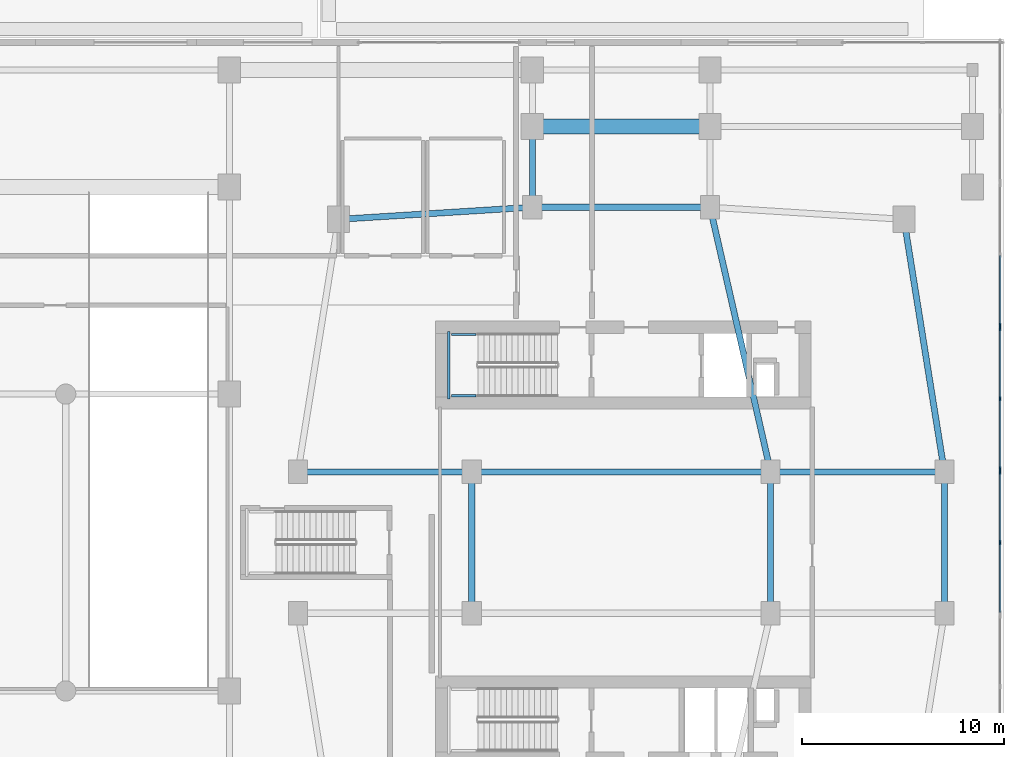
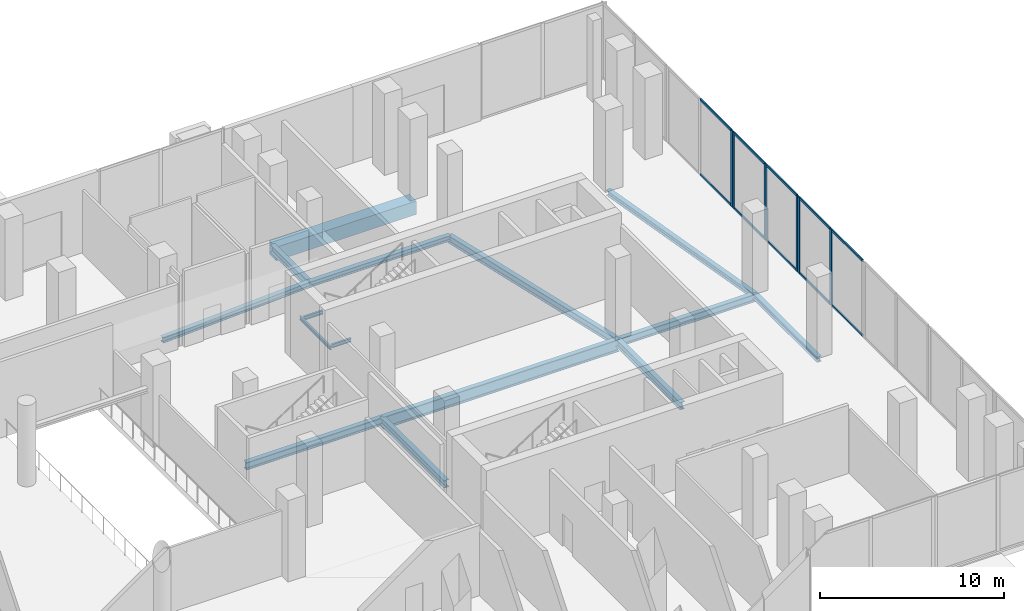
# One storey, part 9 of 24: 16 members, 15 beams, 3 elements without a shape of their own.
"""IFC4 building model written with IfcOpenShell, lengths in metres."""

from ifc_helpers import new_model, si_unit, derived_unit, direction, frame, origin, origin_2d, place, context, subcontext, project, spatial, rectangle, i_section, extrude, material, layer, layer_set, material_profile, profile_set, type_object, element, aggregate, save


model = new_model("IFC4")

# Units and contexts
model_context = context("Model", 3, precision=1e-05, world=origin(), true_north=direction((0.0, 1.0)))
body_context = subcontext(model_context, "Body", "Model", "MODEL_VIEW")
ifc_project = project(units=[si_unit("LENGTHUNIT", "METRE"), si_unit("AREAUNIT", "SQUARE_METRE"), si_unit("VOLUMEUNIT", "CUBIC_METRE"), si_unit("PLANEANGLEUNIT", "RADIAN"), si_unit("MASSUNIT", "GRAM", prefix="KILO"), derived_unit("THERMALTRANSMITTANCEUNIT", [(si_unit("POWERUNIT", "WATT"), 1), (si_unit("LENGTHUNIT", "METRE"), -2), (si_unit("THERMODYNAMICTEMPERATUREUNIT", "KELVIN"), -1)])], contexts=[model_context])

# Site, building, storey
site_placement = place(None, origin())
site = spatial("IfcSite", under=ifc_project, at=site_placement, CompositionType="ELEMENT")
building_placement = place(site_placement, origin())
building = spatial("IfcBuilding", under=site, at=building_placement, Name="Kivonza Crest Hotel", CompositionType="ELEMENT")
storey_placement = place(building_placement, origin())
storey = spatial("IfcBuildingStorey", under=building, at=storey_placement, Name="L00", CompositionType="ELEMENT", Elevation=0.0)

# Beams
ifc_material_1 = material(Name="Steel S355", Category="steel")
ifc_material_profile_1 = material_profile(ifc_material_1, i_section(OverallWidth=0.300048828125, OverallDepth=0.360107421875, WebThickness=0.012451171875, FlangeThickness=0.0224609375, FilletRadius=0.027099609375, at=origin_2d()), Name="HEB 360")
ifc_profile_set_1 = profile_set([ifc_material_profile_1], Name="Steel S355")
beam_type_1 = type_object("IfcBeamType", Name="BM-HEB360", PredefinedType="SPANDREL", material=ifc_profile_set_1)
beam_1_placement = place(storey_placement, frame((93.0, 21.5, -0.530029296875), z_axis=(0.0, 1.0, 0.0), x_axis=(-1.0, 0.0, 0.0)))
element("IfcBeam", 1, at=beam_1_placement, inside=storey, type_object=beam_type_1, Name="Companion Tower T2 L00 perimeter spandrel E1-E2", PredefinedType="SPANDREL", context=body_context, shape_type="SweptSolid", body=[
    extrude(i_section(OverallWidth=0.300048828125, OverallDepth=0.360107421875, WebThickness=0.012451171875, FlangeThickness=0.0224609375, FilletRadius=0.027099609375, at=origin_2d()), origin(), (0.0, 0.0, 1.0), 7.0),
])
beam_2_placement = place(storey_placement, frame((93.0, 28.5, -0.530029296875), z_axis=(-0.157990501107, 0.987440631917, 0.0), x_axis=(-0.987440631917, -0.157990501107, 0.0)))
element("IfcBeam", 2, at=beam_2_placement, inside=storey, type_object=beam_type_1, Name="Companion Tower T2 L00 perimeter spandrel E2-NE", PredefinedType="SPANDREL", context=body_context, shape_type="SweptSolid", body=[
    extrude(i_section(OverallWidth=0.300048828125, OverallDepth=0.360107421875, WebThickness=0.012451171875, FlangeThickness=0.0224609375, FilletRadius=0.027099609375, at=origin_2d()), origin(), (0.0, 0.0, 1.0), 12.658935546875),
])
beam_3_placement = place(storey_placement, frame((81.39990234375, 41.60009765625, -0.530029296875), z_axis=(-1.0, 0.0, 0.0), x_axis=(0.0, -1.0, 0.0)))
element("IfcBeam", 3, at=beam_3_placement, inside=storey, type_object=beam_type_1, Name="Companion Tower T2 L00 perimeter spandrel N2-N1", PredefinedType="SPANDREL", context=body_context, shape_type="SweptSolid", body=[
    extrude(i_section(OverallWidth=0.300048828125, OverallDepth=0.360107421875, WebThickness=0.012451171875, FlangeThickness=0.0224609375, FilletRadius=0.027099609375, at=origin_2d()), origin(), (0.0, 0.0, 1.0), 8.7998046875),
])
beam_4_placement = place(storey_placement, frame((72.60009765625, 41.60009765625, -0.530029296875), z_axis=(-0.998051985873, -0.062387767186, 0.0), x_axis=(0.062387767186, -0.998051985873, 0.0)))
element("IfcBeam", 4, at=beam_4_placement, inside=storey, type_object=beam_type_1, Name="Companion Tower T2 L00 perimeter spandrel N1-NW", PredefinedType="SPANDREL", context=body_context, shape_type="SweptSolid", body=[
    extrude(i_section(OverallWidth=0.300048828125, OverallDepth=0.360107421875, WebThickness=0.012451171875, FlangeThickness=0.0224609375, FilletRadius=0.027099609375, at=origin_2d()), origin(), (0.0, 0.0, 1.0), 9.618896484375),
])
ifc_material_profile_2 = material_profile(ifc_material_1, i_section(OverallWidth=0.300048828125, OverallDepth=0.5, WebThickness=0.014404296875, FlangeThickness=0.028076171875, FilletRadius=0.027099609375, at=origin_2d()), Name="HEB 500")
ifc_profile_set_2 = profile_set([ifc_material_profile_2], Name="Steel S355")
beam_type_2 = type_object("IfcBeamType", Name="BM-HEB500", PredefinedType="BEAM", material=ifc_profile_set_2)
beam_5_placement = place(storey_placement, frame((61.0, 28.5, -0.60009765625), z_axis=(1.0, 0.0, 0.0), x_axis=(0.0, 1.0, 0.0)))
element("IfcBeam", 5, at=beam_5_placement, inside=storey, type_object=beam_type_2, Name="Companion Tower T2 L00 girder W2-WL2", PredefinedType="BEAM", context=body_context, shape_type="SweptSolid", body=[
    extrude(i_section(OverallWidth=0.300048828125, OverallDepth=0.5, WebThickness=0.014404296875, FlangeThickness=0.028076171875, FilletRadius=0.027099609375, at=origin_2d()), origin(), (0.0, 0.0, 1.0), 8.60009765625),
])
beam_6_placement = place(storey_placement, frame((69.60009765625, 21.5, -0.60009765625), z_axis=(0.0, 1.0, 0.0), x_axis=(-1.0, 0.0, 0.0)))
element("IfcBeam", 6, at=beam_6_placement, inside=storey, type_object=beam_type_2, Name="Companion Tower T2 L00 girder WL1-WL2", PredefinedType="BEAM", context=body_context, shape_type="SweptSolid", body=[
    extrude(i_section(OverallWidth=0.300048828125, OverallDepth=0.5, WebThickness=0.014404296875, FlangeThickness=0.028076171875, FilletRadius=0.027099609375, at=origin_2d()), origin(), (0.0, 0.0, 1.0), 7.0),
])
beam_7_placement = place(storey_placement, frame((84.39990234375, 28.5, -0.60009765625), z_axis=(1.0, 0.0, 0.0), x_axis=(0.0, 1.0, 0.0)))
element("IfcBeam", 7, at=beam_7_placement, inside=storey, type_object=beam_type_2, Name="Companion Tower T2 L00 girder WR2-E2", PredefinedType="BEAM", context=body_context, shape_type="SweptSolid", body=[
    extrude(i_section(OverallWidth=0.300048828125, OverallDepth=0.5, WebThickness=0.014404296875, FlangeThickness=0.028076171875, FilletRadius=0.027099609375, at=origin_2d()), origin(), (0.0, 0.0, 1.0), 8.60009765625),
])
beam_8_placement = place(storey_placement, frame((84.39990234375, 21.5, -0.60009765625), z_axis=(0.0, 1.0, 0.0), x_axis=(-1.0, 0.0, 0.0)))
element("IfcBeam", 8, at=beam_8_placement, inside=storey, type_object=beam_type_2, Name="Companion Tower T2 L00 girder WR1-WR2", PredefinedType="BEAM", context=body_context, shape_type="SweptSolid", body=[
    extrude(i_section(OverallWidth=0.300048828125, OverallDepth=0.5, WebThickness=0.014404296875, FlangeThickness=0.028076171875, FilletRadius=0.027099609375, at=origin_2d()), origin(), (0.0, 0.0, 1.0), 7.0),
])
beam_9_placement = place(storey_placement, frame((84.39990234375, 28.5, -0.60009765625), z_axis=(-0.223227287589, 0.974766422317, 0.0), x_axis=(-0.974766422317, -0.223227287589, 0.0)))
element("IfcBeam", 9, at=beam_9_placement, inside=storey, type_object=beam_type_2, Name="Companion Tower T2 L00 girder WR2-N2", PredefinedType="BEAM", context=body_context, shape_type="SweptSolid", body=[
    extrude(i_section(OverallWidth=0.300048828125, OverallDepth=0.5, WebThickness=0.014404296875, FlangeThickness=0.028076171875, FilletRadius=0.027099609375, at=origin_2d()), origin(), (0.0, 0.0, 1.0), 13.439208984375),
])
beam_10_placement = place(storey_placement, frame((72.60009765625, 41.60009765625, -0.60009765625), z_axis=(0.0, 1.0, 0.0), x_axis=(-1.0, 0.0, 0.0)))
element("IfcBeam", 10, at=beam_10_placement, inside=storey, type_object=beam_type_2, Name="L00 podium girder Y 85", PredefinedType="BEAM", context=body_context, shape_type="SweptSolid", body=[
    extrude(i_section(OverallWidth=0.300048828125, OverallDepth=0.5, WebThickness=0.014404296875, FlangeThickness=0.028076171875, FilletRadius=0.027099609375, at=origin_2d()), origin(), (0.0, 0.0, 1.0), 4.0),
])
ifc_material_profile_3 = material_profile(ifc_material_1, i_section(OverallWidth=0.300048828125, OverallDepth=0.800048828125, WebThickness=0.017578125, FlangeThickness=0.032958984375, FilletRadius=0.030029296875, at=origin_2d()), Name="HEB 800")
ifc_profile_set_3 = profile_set([ifc_material_profile_3], Name="Steel S355")
beam_type_3 = type_object("IfcBeamType", Name="BM-HEB800", PredefinedType="BEAM", material=ifc_profile_set_3)
beam_11_placement = place(storey_placement, frame((69.60009765625, 28.5, -0.75), z_axis=(1.0, 0.0, 0.0), x_axis=(0.0, 1.0, 0.0)))
element("IfcBeam", 11, at=beam_11_placement, inside=storey, type_object=beam_type_3, Name="L00 podium girder X 28", PredefinedType="BEAM", context=body_context, shape_type="SweptSolid", body=[
    extrude(i_section(OverallWidth=0.300048828125, OverallDepth=0.800048828125, WebThickness=0.017578125, FlangeThickness=0.032958984375, FilletRadius=0.030029296875, at=origin_2d()), origin(), (0.0, 0.0, 1.0), 14.7998046875),
])
ifc_material_profile_4 = material_profile(ifc_material_1, i_section(OverallWidth=0.1201171875, OverallDepth=0.239990234375, WebThickness=0.006103515625, FlangeThickness=0.009765625, FilletRadius=0.014892578125, at=origin_2d()), Name="IPE 240")
ifc_profile_set_4 = profile_set([ifc_material_profile_4], Name="Steel S355")
beam_type_4 = type_object("IfcBeamType", Name="BM-LLDG-240", PredefinedType="BEAM", material=ifc_profile_set_4)
beam_12_placement = place(storey_placement, frame((68.4599609375, 32.10009765625, 2.3798828125), z_axis=(0.0, 1.0, 0.0), x_axis=(-1.0, 0.0, 0.0)))
element("IfcBeam", 12, at=beam_12_placement, inside=storey, type_object=beam_type_4, Name="Stair ST-T2-N L00 West landing corbel", PredefinedType="BEAM", context=body_context, shape_type="SweptSolid", body=[
    extrude(i_section(OverallWidth=0.1201171875, OverallDepth=0.239990234375, WebThickness=0.006103515625, FlangeThickness=0.009765625, FilletRadius=0.014892578125, at=origin_2d()), origin(), (0.0, 0.0, 1.0), 3.35986328125),
])
for number, where, z_axis, x_axis, name in (
    (13, (68.590087890625, 32.260009765625, 2.3798828125), (1.0, 0.0, 0.0), (0.0, 1.0, 0.0), "Stair ST-T2-N L00 South landing corbel"),
    (14, (68.590087890625, 35.300048828125, 2.3798828125), (1.0, 0.0, 0.0), (0.0, 1.0, 0.0), "Stair ST-T2-N L00 North landing corbel"),
):
    element("IfcBeam", number, at=place(storey_placement, frame(where, z_axis=z_axis, x_axis=x_axis)), inside=storey, type_object=beam_type_4, Name=name, PredefinedType="BEAM", context=body_context, shape_type="SweptSolid", body=[
        extrude(i_section(OverallWidth=0.1201171875, OverallDepth=0.239990234375, WebThickness=0.006103515625, FlangeThickness=0.009765625, FilletRadius=0.014892578125, at=origin_2d()), origin(), (0.0, 0.0, 1.0), 1.2099609375),
    ])
ifc_material_2 = material(Name="Concrete C40/50", Category="concrete")
ifc_material_profile_5 = material_profile(ifc_material_2, rectangle(XDim=0.75, YDim=0.89990234375, at=origin_2d()), Name="RC 900x750")
ifc_profile_set_5 = profile_set([ifc_material_profile_5], Name="Concrete C40/50")
beam_type_5 = type_object("IfcBeamType", Name="BM-RCT-900x750", PredefinedType="T_BEAM", material=ifc_profile_set_5)
beam_13_placement = place(storey_placement, frame((72.60009765625, 45.60009765625, -0.800048828125), z_axis=(1.0, 0.0, 0.0), x_axis=(0.0, 1.0, 0.0)))
element("IfcBeam", 15, at=beam_13_placement, inside=storey, type_object=beam_type_5, Name="L00 reinforced concrete T-beam 39", PredefinedType="T_BEAM", context=body_context, shape_type="SweptSolid", body=[
    extrude(rectangle(XDim=0.75, YDim=0.89990234375, at=origin_2d()), origin(), (0.0, 0.0, 1.0), 8.7998046875),
])

# Curtain wall, members
ifc_material_3 = material(Name="Anodised bronze aluminium and low-E double glazing", Category="aluminium")
ifc_layer = layer(ifc_material_3, 0.219970703125)
ifc_layer_set = layer_set([ifc_layer], Name="Anodised bronze aluminium and low-E double glazing")
curtain_wall_type = type_object("IfcCurtainWallType", Name="CW-SYS-1", PredefinedType="NOTDEFINED", material=ifc_layer_set)
curtain_wall_1_placement = place(storey_placement, origin())
curtain_wall_1 = element("IfcCurtainWall", 16, at=curtain_wall_1_placement, inside=storey, type_object=curtain_wall_type, Name="L00 unitised curtain wall CW-POD-L00-16", PredefinedType="NOTDEFINED")
ifc_material_4 = material(Name="Anodised bronze aluminium", Category="aluminium")
ifc_material_profile_6 = material_profile(ifc_material_4, rectangle(XDim=0.074951171875, YDim=0.219970703125, at=origin_2d()), Name="CW-M 75x220")
ifc_profile_set_6 = profile_set([ifc_material_profile_6], Name="Anodised bronze aluminium")
member_type_1 = type_object("IfcMemberType", Name="CW-MUL-75x220", PredefinedType="MULLION", material=ifc_profile_set_6)
member_1_placement = place(storey_placement, frame((95.760009765625, 25.0, 0.0), z_axis=(0.0, 0.0, 1.0), x_axis=(-1.0, 0.0, 0.0)))
member_1 = element("IfcMember", 17, at=member_1_placement, type_object=member_type_1, Name="CW-1 mullion 2", PredefinedType="MULLION", context=body_context, shape_type="SweptSolid", body=[
    extrude(rectangle(XDim=0.074951171875, YDim=0.219970703125, at=origin_2d()), origin(), (0.0, 0.0, 1.0), 5.050048828125),
])
member_2_placement = place(storey_placement, frame((95.760009765625, 28.482421875, 0.0), z_axis=(0.0, 0.0, 1.0), x_axis=(-1.0, 0.0, 0.0)))
member_2 = element("IfcMember", 18, at=member_2_placement, type_object=member_type_1, Name="CW-1 mullion 3", PredefinedType="MULLION", context=body_context, shape_type="SweptSolid", body=[
    extrude(rectangle(XDim=0.074951171875, YDim=0.219970703125, at=origin_2d()), origin(), (0.0, 0.0, 1.0), 5.050048828125),
])

curtain_wall_2_placement = place(storey_placement, origin())
curtain_wall_2 = element("IfcCurtainWall", 19, at=curtain_wall_2_placement, inside=storey, type_object=curtain_wall_type, Name="L00 unitised curtain wall CW-POD-L00-17", PredefinedType="NOTDEFINED")
member_3_placement = place(storey_placement, frame((95.760009765625, 28.637451171875, 0.0), z_axis=(0.0, 0.0, 1.0), x_axis=(-1.0, 0.0, 0.0)))
member_3 = element("IfcMember", 20, at=member_3_placement, type_object=member_type_1, Name="CW-1 mullion 1", PredefinedType="MULLION", context=body_context, shape_type="SweptSolid", body=[
    extrude(rectangle(XDim=0.074951171875, YDim=0.219970703125, at=origin_2d()), origin(), (0.0, 0.0, 1.0), 5.050048828125),
])
member_4_placement = place(storey_placement, frame((95.760009765625, 32.1201171875, 0.0), z_axis=(0.0, 0.0, 1.0), x_axis=(-1.0, 0.0, 0.0)))
member_4 = element("IfcMember", 21, at=member_4_placement, type_object=member_type_1, Name="CW-1 mullion 2", PredefinedType="MULLION", context=body_context, shape_type="SweptSolid", body=[
    extrude(rectangle(XDim=0.074951171875, YDim=0.219970703125, at=origin_2d()), origin(), (0.0, 0.0, 1.0), 5.050048828125),
])
member_5_placement = place(storey_placement, frame((95.760009765625, 35.6025390625, 0.0), z_axis=(0.0, 0.0, 1.0), x_axis=(-1.0, 0.0, 0.0)))
member_5 = element("IfcMember", 22, at=member_5_placement, type_object=member_type_1, Name="CW-1 mullion 3", PredefinedType="MULLION", context=body_context, shape_type="SweptSolid", body=[
    extrude(rectangle(XDim=0.074951171875, YDim=0.219970703125, at=origin_2d()), origin(), (0.0, 0.0, 1.0), 5.050048828125),
])

# Curtain wall, member
curtain_wall_3_placement = place(storey_placement, origin())
curtain_wall_3 = element("IfcCurtainWall", 23, at=curtain_wall_3_placement, inside=storey, type_object=curtain_wall_type, Name="L00 unitised curtain wall CW-POD-L00-18", PredefinedType="NOTDEFINED")
member_6_placement = place(storey_placement, frame((95.760009765625, 35.757568359375, 0.0), z_axis=(0.0, 0.0, 1.0), x_axis=(-1.0, 0.0, 0.0)))
member_6 = element("IfcMember", 24, at=member_6_placement, type_object=member_type_1, Name="CW-1 mullion 1", PredefinedType="MULLION", context=body_context, shape_type="SweptSolid", body=[
    extrude(rectangle(XDim=0.074951171875, YDim=0.219970703125, at=origin_2d()), origin(), (0.0, 0.0, 1.0), 5.050048828125),
])

# Member
ifc_material_profile_7 = material_profile(ifc_material_4, rectangle(XDim=0.074951171875, YDim=0.159912109375, at=origin_2d()), Name="CW-T 75x160")
ifc_profile_set_7 = profile_set([ifc_material_profile_7], Name="Anodised bronze aluminium")
member_type_2 = type_object("IfcMemberType", Name="CW-TRN-75x160", PredefinedType="USERDEFINED", material=ifc_profile_set_7)
member_7_placement = place(storey_placement, frame((95.760009765625, 21.554931640625, 0.03759765625), z_axis=(0.0, 1.0, 0.0), x_axis=(-1.0, 0.0, 0.0)))
member_7 = element("IfcMember", 25, at=member_7_placement, type_object=member_type_2, Name="CW-1 transom 1.1", ObjectType="TRANSOM", PredefinedType="USERDEFINED", context=body_context, shape_type="SweptSolid", body=[
    extrude(rectangle(XDim=0.074951171875, YDim=0.159912109375, at=origin_2d()), origin(), (0.0, 0.0, 1.0), 3.407470703125),
])

member_8_placement = place(storey_placement, frame((95.760009765625, 21.554931640625, 5.012451171875), z_axis=(0.0, 1.0, 0.0), x_axis=(-1.0, 0.0, 0.0)))
member_8 = element("IfcMember", 26, at=member_8_placement, type_object=member_type_2, Name="CW-1 transom 1.2", ObjectType="TRANSOM", PredefinedType="USERDEFINED", context=body_context, shape_type="SweptSolid", body=[
    extrude(rectangle(XDim=0.074951171875, YDim=0.159912109375, at=origin_2d()), origin(), (0.0, 0.0, 1.0), 3.407470703125),
])

member_9_placement = place(storey_placement, frame((95.760009765625, 25.03759765625, 0.03759765625), z_axis=(0.0, 1.0, 0.0), x_axis=(-1.0, 0.0, 0.0)))
member_9 = element("IfcMember", 27, at=member_9_placement, type_object=member_type_2, Name="CW-1 transom 2.1", ObjectType="TRANSOM", PredefinedType="USERDEFINED", context=body_context, shape_type="SweptSolid", body=[
    extrude(rectangle(XDim=0.074951171875, YDim=0.159912109375, at=origin_2d()), origin(), (0.0, 0.0, 1.0), 3.407470703125),
])

member_10_placement = place(storey_placement, frame((95.760009765625, 25.03759765625, 5.012451171875), z_axis=(0.0, 1.0, 0.0), x_axis=(-1.0, 0.0, 0.0)))
member_10 = element("IfcMember", 28, at=member_10_placement, type_object=member_type_2, Name="CW-1 transom 2.2", ObjectType="TRANSOM", PredefinedType="USERDEFINED", context=body_context, shape_type="SweptSolid", body=[
    extrude(rectangle(XDim=0.074951171875, YDim=0.159912109375, at=origin_2d()), origin(), (0.0, 0.0, 1.0), 3.407470703125),
])

aggregate(curtain_wall_1, [member_1, member_2, member_7, member_8, member_9, member_10])

member_11_placement = place(storey_placement, frame((95.760009765625, 28.675048828125, 0.03759765625), z_axis=(0.0, 1.0, 0.0), x_axis=(-1.0, 0.0, 0.0)))
member_11 = element("IfcMember", 29, at=member_11_placement, type_object=member_type_2, Name="CW-1 transom 1.1", ObjectType="TRANSOM", PredefinedType="USERDEFINED", context=body_context, shape_type="SweptSolid", body=[
    extrude(rectangle(XDim=0.074951171875, YDim=0.159912109375, at=origin_2d()), origin(), (0.0, 0.0, 1.0), 3.407470703125),
])

member_12_placement = place(storey_placement, frame((95.760009765625, 28.675048828125, 5.012451171875), z_axis=(0.0, 1.0, 0.0), x_axis=(-1.0, 0.0, 0.0)))
member_12 = element("IfcMember", 30, at=member_12_placement, type_object=member_type_2, Name="CW-1 transom 1.2", ObjectType="TRANSOM", PredefinedType="USERDEFINED", context=body_context, shape_type="SweptSolid", body=[
    extrude(rectangle(XDim=0.074951171875, YDim=0.159912109375, at=origin_2d()), origin(), (0.0, 0.0, 1.0), 3.407470703125),
])

member_13_placement = place(storey_placement, frame((95.760009765625, 32.157470703125, 0.03759765625), z_axis=(0.0, 1.0, 0.0), x_axis=(-1.0, 0.0, 0.0)))
member_13 = element("IfcMember", 31, at=member_13_placement, type_object=member_type_2, Name="CW-1 transom 2.1", ObjectType="TRANSOM", PredefinedType="USERDEFINED", context=body_context, shape_type="SweptSolid", body=[
    extrude(rectangle(XDim=0.074951171875, YDim=0.159912109375, at=origin_2d()), origin(), (0.0, 0.0, 1.0), 3.407470703125),
])

member_14_placement = place(storey_placement, frame((95.760009765625, 32.157470703125, 5.012451171875), z_axis=(0.0, 1.0, 0.0), x_axis=(-1.0, 0.0, 0.0)))
member_14 = element("IfcMember", 32, at=member_14_placement, type_object=member_type_2, Name="CW-1 transom 2.2", ObjectType="TRANSOM", PredefinedType="USERDEFINED", context=body_context, shape_type="SweptSolid", body=[
    extrude(rectangle(XDim=0.074951171875, YDim=0.159912109375, at=origin_2d()), origin(), (0.0, 0.0, 1.0), 3.407470703125),
])

aggregate(curtain_wall_2, [member_3, member_4, member_5, member_11, member_12, member_13, member_14])

member_15_placement = place(storey_placement, frame((95.760009765625, 35.794921875, 0.03759765625), z_axis=(0.0, 1.0, 0.0), x_axis=(-1.0, 0.0, 0.0)))
member_15 = element("IfcMember", 33, at=member_15_placement, type_object=member_type_2, Name="CW-1 transom 1.1", ObjectType="TRANSOM", PredefinedType="USERDEFINED", context=body_context, shape_type="SweptSolid", body=[
    extrude(rectangle(XDim=0.074951171875, YDim=0.159912109375, at=origin_2d()), origin(), (0.0, 0.0, 1.0), 3.407470703125),
])

member_16_placement = place(storey_placement, frame((95.760009765625, 35.794921875, 5.012451171875), z_axis=(0.0, 1.0, 0.0), x_axis=(-1.0, 0.0, 0.0)))
member_16 = element("IfcMember", 34, at=member_16_placement, type_object=member_type_2, Name="CW-1 transom 1.2", ObjectType="TRANSOM", PredefinedType="USERDEFINED", context=body_context, shape_type="SweptSolid", body=[
    extrude(rectangle(XDim=0.074951171875, YDim=0.159912109375, at=origin_2d()), origin(), (0.0, 0.0, 1.0), 3.407470703125),
])

aggregate(curtain_wall_3, [member_6, member_15, member_16])

save(model, "model.ifc")
